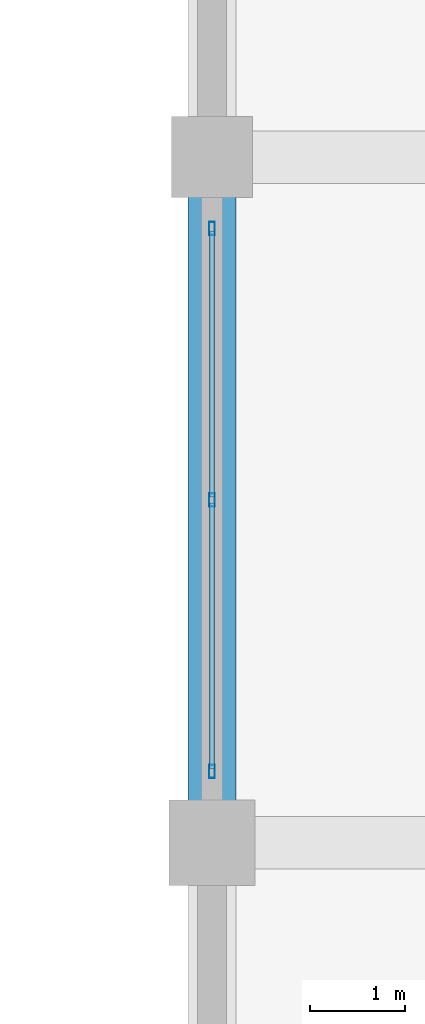
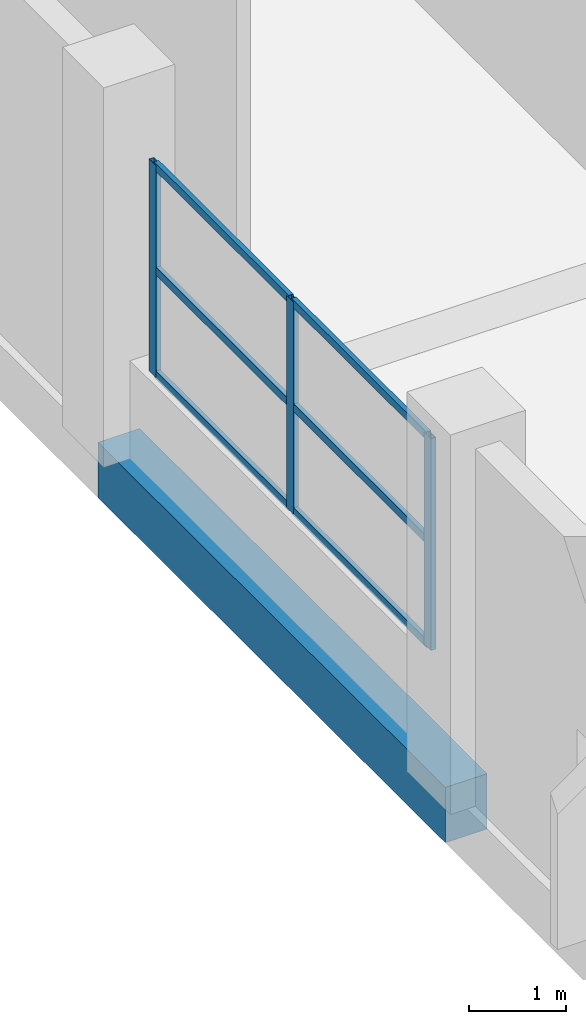
# One storey, part 49 of 181: 9 members, 1 beam, 1 element without a shape of its own.
"""IFC4 building model written with IfcOpenShell, lengths in metres."""

import ifcopenshell
import ifcopenshell.guid

model = None  # the IFC model being written
_history = None  # IfcOwnerHistory: only IFC2X3 demands one
_inside = {}  # id of a spatial element -> (the spatial element, [elements in it])
_under = {}  # id of a project, library or spatial element -> (it, [spatial elements below it])
_declared = {}  # id of a project -> (the project, [libraries it declares])
_typed = {}  # id of a type object -> (the type object, [elements of that type])
_made_of = {}  # id of a material, layer set ... -> (it, [elements and type objects made of it])


def new_model(schema):
    """Start an empty IFC model of exactly this schema.

    Asked for "IFC4X3", IfcOpenShell would pick the latest addendum, in which some entities
    have other attributes; the version numbers below select the first issue.
    IFC2X3 requires an IfcOwnerHistory on every rooted entity: one is made here for all.
    """
    global model, _history
    if schema == "IFC4X3":
        model = ifcopenshell.file(schema_version=(4, 3, 0, 0))
    else:
        model = ifcopenshell.file(schema=schema)
    _inside.clear()
    _under.clear()
    _declared.clear()
    _typed.clear()
    _made_of.clear()
    _history = None
    if model.schema == "IFC2X3":
        org = make("IfcOrganization", Name="unknown")
        user = make(
            "IfcPersonAndOrganization",
            ThePerson=make("IfcPerson", FamilyName="unknown"),
            TheOrganization=org,
        )
        app = make(
            "IfcApplication",
            ApplicationDeveloper=org,
            Version="unknown",
            ApplicationFullName="unknown",
            ApplicationIdentifier="unknown",
        )
        _history = make(
            "IfcOwnerHistory",
            OwningUser=user,
            OwningApplication=app,
            ChangeAction="ADDED",
            CreationDate=0,
        )
    return model


def make(cls, **values):
    """One entity of the class cls with the attributes given. An attribute that is None is left unset."""
    return model.create_entity(
        cls, **{name: value for name, value in values.items() if value is not None}
    )


def rooted(cls, **values):
    """An entity with a GlobalId (a new one), such as an element, a storey or a relation."""
    return make(cls, GlobalId=ifcopenshell.guid.new(), OwnerHistory=_history, **values)


def si_unit(unit_type, name, prefix=None):
    """IfcSIUnit, for example si_unit("LENGTHUNIT", "METRE", prefix="MILLI")."""
    return make("IfcSIUnit", UnitType=unit_type, Prefix=prefix, Name=name)


def assignment(units):
    """IfcUnitAssignment: the units of a project."""
    return None if units is None else make("IfcUnitAssignment", Units=units)


def point(xyz):
    """IfcCartesianPoint."""
    return None if xyz is None else make("IfcCartesianPoint", Coordinates=xyz)


def direction(xyz):
    """IfcDirection."""
    return None if xyz is None else make("IfcDirection", DirectionRatios=xyz)


def frame(location, z_axis=None, x_axis=None):
    """IfcAxis2Placement3D, a coordinate frame: its origin and axes. An axis left out is left unset."""
    return make(
        "IfcAxis2Placement3D",
        Location=point(location),
        Axis=direction(z_axis),
        RefDirection=direction(x_axis),
    )


def frame_2d(location, x_axis=None):
    """IfcAxis2Placement2D, a coordinate frame in the plane: its origin and x axis."""
    return make(
        "IfcAxis2Placement2D", Location=point(location), RefDirection=direction(x_axis)
    )


def origin():
    """The frame at (0, 0, 0) with its axes left unset."""
    return frame((0.0, 0.0, 0.0))


def origin_2d():
    """The frame at (0, 0) in the plane with its x axis left unset."""
    return frame_2d((0.0, 0.0))


def place(relative_to, where):
    """IfcLocalPlacement: puts the frame where relative to a parent placement (None: the world)."""
    return make(
        "IfcLocalPlacement", PlacementRelTo=relative_to, RelativePlacement=where
    )


def context(
    kind, dimensions, precision=None, world=None, true_north=None, identifier=None
):
    """IfcGeometricRepresentationContext, for example the 3D "Model" context."""
    return make(
        "IfcGeometricRepresentationContext",
        ContextIdentifier=identifier,
        ContextType=kind,
        CoordinateSpaceDimension=dimensions,
        Precision=precision,
        WorldCoordinateSystem=world,
        TrueNorth=true_north,
    )


def subcontext(parent, identifier, kind, view, scale=None):
    """IfcGeometricRepresentationSubContext, for example "Body" below "Model"."""
    return make(
        "IfcGeometricRepresentationSubContext",
        ContextIdentifier=identifier,
        ContextType=kind,
        ParentContext=parent,
        TargetScale=scale,
        TargetView=view,
    )


def project(units=None, contexts=None):
    """IfcProject with its units and contexts."""
    return rooted(
        "IfcProject",
        Name="project",
        RepresentationContexts=contexts,
        UnitsInContext=assignment(units),
    )


def spatial(cls, under=None, at=None, **own):
    """A site, building, storey or space (cls), placed at a placement, below another one or the project."""
    s = rooted(cls, ObjectPlacement=at, **own)
    if under is not None:
        _under.setdefault(under.id(), (under, []))[1].append(s)
    return s


def profile(cls, at=None, kind="AREA", **sizes):
    """A parametric profile (cls). Its sizes go by their IFC names, for example OverallWidth=200.0."""
    return make(cls, ProfileType=kind, Position=at, **sizes)


def rectangle(**sizes):
    """IfcRectangleProfileDef."""
    return profile("IfcRectangleProfileDef", **sizes)


def hollow_rectangle(**sizes):
    """IfcRectangleHollowProfileDef."""
    return profile("IfcRectangleHollowProfileDef", **sizes)


def extrude(swept, where, along, depth):
    """IfcExtrudedAreaSolid: the profile swept, set in the frame where, extruded along a direction by depth."""
    return make(
        "IfcExtrudedAreaSolid",
        SweptArea=swept,
        Position=where,
        ExtrudedDirection=direction(along),
        Depth=depth,
    )


def shape(context_of_items, identifier, shape_type, items):
    """IfcShapeRepresentation: the items that make up one representation, for example the "Body"."""
    return make(
        "IfcShapeRepresentation",
        ContextOfItems=context_of_items,
        RepresentationIdentifier=identifier,
        RepresentationType=shape_type,
        Items=items,
    )


def material(Name=None, Category=None):
    """IfcMaterial."""
    return make("IfcMaterial", Name=Name, Category=Category)


def layer(
    of_material, thickness, ventilated=None, Name=None, Category=None, Priority=None
):
    """IfcMaterialLayer: one layer of a wall or slab, of a material (None: an air gap)."""
    return make(
        "IfcMaterialLayer",
        Material=of_material,
        LayerThickness=thickness,
        IsVentilated=ventilated,
        Name=Name,
        Category=Category,
        Priority=Priority,
    )


def layer_set(layers, Name=None):
    """IfcMaterialLayerSet."""
    return make("IfcMaterialLayerSet", MaterialLayers=layers, LayerSetName=Name)


def material_profile(
    of_material, cross_section, Name=None, Category=None, Priority=None
):
    """IfcMaterialProfile: a cross section and its material."""
    return make(
        "IfcMaterialProfile",
        Name=Name,
        Material=of_material,
        Profile=cross_section,
        Priority=Priority,
        Category=Category,
    )


def profile_set(profiles, Name=None, composite=None):
    """IfcMaterialProfileSet."""
    return make(
        "IfcMaterialProfileSet",
        Name=Name,
        MaterialProfiles=profiles,
        CompositeProfile=composite,
    )


def made_of(thing, what):
    """Note that an element or type object is made of a material, layer set ...; save() writes the relation."""
    if what is not None:
        _made_of.setdefault(what.id(), (what, []))[1].append(thing)
    return thing


def type_object(cls, material=None, **own):
    """A type object (cls), such as IfcWallType, which elements share."""
    return made_of(rooted(cls, **own), material)


def element(
    cls,
    number,
    at=None,
    inside=None,
    cuts=None,
    type_object=None,
    material=None,
    context=None,
    identifier="Body",
    shape_type=None,
    held_by="IfcProductDefinitionShape",
    body=None,
    shapes=None,
    **own,
):
    """One element of the class cls, such as IfcWall. Its Tag is "e" and its number.

    at: its placement. inside: the storey or other place that contains it. cuts: it is an
    opening in that element (IfcRelVoidsElement). A single representation is given by context,
    identifier, shape_type and body (its items); several are given by shapes. held_by: the class
    of the entity that holds the representations. save() writes the other relations.
    """
    e = rooted(cls, Tag="e%d" % number, ObjectPlacement=at, **own)
    if body is not None:
        shapes = [shape(context, identifier, shape_type, body)]
    if shapes is not None:
        e.Representation = make(held_by, Representations=shapes)
    if inside is not None:
        _inside.setdefault(inside.id(), (inside, []))[1].append(e)
    if cuts is not None:
        rooted(
            "IfcRelVoidsElement", RelatingBuildingElement=cuts, RelatedOpeningElement=e
        )
    if type_object is not None:
        _typed.setdefault(type_object.id(), (type_object, []))[1].append(e)
    return made_of(e, material)


def aggregate(whole, parts):
    """IfcRelAggregates: a whole, such as a stair, and the parts it consists of."""
    return rooted("IfcRelAggregates", RelatingObject=whole, RelatedObjects=parts)


def save(model, path):
    """Write the relations noted so far, then the file.

    IfcRelAggregates (storeys below a building ...), IfcRelContainedInSpatialStructure (elements
    in a storey), IfcRelDefinesByType, IfcRelAssociatesMaterial and IfcRelDeclares: one each for
    every whole, place, type object, material and project.
    """
    for whole, parts in _under.values():
        aggregate(whole, parts)
    for where, things in _inside.values():
        rooted(
            "IfcRelContainedInSpatialStructure",
            RelatedElements=things,
            RelatingStructure=where,
        )
    for kind, things in _typed.values():
        rooted("IfcRelDefinesByType", RelatedObjects=things, RelatingType=kind)
    for what, things in _made_of.values():
        rooted("IfcRelAssociatesMaterial", RelatedObjects=things, RelatingMaterial=what)
    for by, libraries in _declared.values():
        rooted("IfcRelDeclares", RelatingContext=by, RelatedDefinitions=libraries)
    model.write(path)


model = new_model("IFC4")

# Units and contexts
model_context = context("Model", 3, precision=1e-05, world=origin(), true_north=direction((0.0, 1.0)))
body_context = subcontext(model_context, "Body", "Model", "MODEL_VIEW")
ifc_project = project(units=[si_unit("LENGTHUNIT", "METRE"), si_unit("AREAUNIT", "SQUARE_METRE"), si_unit("VOLUMEUNIT", "CUBIC_METRE"), si_unit("PLANEANGLEUNIT", "RADIAN"), si_unit("MASSUNIT", "GRAM", prefix="KILO")], contexts=[model_context])

# Site, building, storey
site_placement = place(None, origin())
site = spatial("IfcSite", under=ifc_project, at=site_placement, CompositionType="ELEMENT")
building_placement = place(site_placement, origin())
building = spatial("IfcBuilding", under=site, at=building_placement, Name="Seraya Terrace Polytechnic", CompositionType="ELEMENT")
storey_placement = place(building_placement, frame((0.0, 0.0, 4.800048828125)))
storey = spatial("IfcBuildingStorey", under=building, at=storey_placement, Name="L01", CompositionType="ELEMENT", Elevation=4.800048828125)

# Beam
ifc_material_1 = material(Name="Concrete C40/50", Category="concrete")
ifc_material_profile_1 = material_profile(ifc_material_1, rectangle(XDim=0.5, YDim=0.699951171875, at=origin_2d()), Name="RC 500x700")
ifc_profile_set_1 = profile_set([ifc_material_profile_1], Name="Concrete C40/50")
beam_type = type_object("IfcBeamType", Name="BM-07", PredefinedType="BEAM", material=ifc_profile_set_1)
beam_placement = place(storey_placement, frame((79.199951171875, 50.39990234375, -0.35009765625), z_axis=(0.0, 1.0, 0.0), x_axis=(-1.0, 0.0, 0.0)))
element("IfcBeam", 1, at=beam_placement, inside=storey, type_object=beam_type, Name="Beam BM-07 L01 Y (79.2, 50.4..57.6)", PredefinedType="BEAM", context=body_context, shape_type="SweptSolid", body=[
    extrude(rectangle(XDim=0.5, YDim=0.699951171875, at=origin_2d()), origin(), (0.0, 0.0, 1.0), 7.2001953125),
])

# Curtain wall, members
ifc_material_2 = material(Name="Anodised aluminium EN AW-6063 T6", Category="aluminium")
ifc_layer = layer(ifc_material_2, 0.179931640625, Name="CW-06")
ifc_layer_set = layer_set([ifc_layer], Name="Anodised aluminium EN AW-6063 T6")
curtain_wall_type = type_object("IfcCurtainWallType", Name="CW-06", PredefinedType="NOTDEFINED", material=ifc_layer_set)
curtain_wall_placement = place(storey_placement, origin())
curtain_wall = element("IfcCurtainWall", 2, at=curtain_wall_placement, inside=storey, type_object=curtain_wall_type, Name="Unitised curtain wall CW-06 (CW-L01-042)", PredefinedType="NOTDEFINED")
ifc_material_profile_2 = material_profile(ifc_material_2, hollow_rectangle(XDim=0.06005859375, YDim=0.139892578125, WallThickness=0.00341796875, at=origin_2d()), Name="RHS 140x60x3.5")
ifc_profile_set_2 = profile_set([ifc_material_profile_2], Name="Anodised aluminium EN AW-6063 T6")
member_type_1 = type_object("IfcMemberType", Name="CWM-03", PredefinedType="MULLION", material=ifc_profile_set_2)
member_1_placement = place(storey_placement, frame((79.199951171875, 51.14990234375, 1.239990234375), z_axis=(0.0, 0.0, 1.0), x_axis=(-1.0, 0.0, 0.0)))
member_1 = element("IfcMember", 3, at=member_1_placement, type_object=member_type_1, Name="CW-06 mullion 1", PredefinedType="MULLION", context=body_context, shape_type="SweptSolid", body=[
    extrude(hollow_rectangle(XDim=0.06005859375, YDim=0.139892578125, WallThickness=0.00341796875, at=origin_2d()), origin(), (0.0, 0.0, 1.0), 2.679931640625),
])
member_2_placement = place(storey_placement, frame((79.199951171875, 54.0, 1.239990234375), z_axis=(0.0, 0.0, 1.0), x_axis=(-1.0, 0.0, 0.0)))
member_2 = element("IfcMember", 4, at=member_2_placement, type_object=member_type_1, Name="CW-06 mullion 2", PredefinedType="MULLION", context=body_context, shape_type="SweptSolid", body=[
    extrude(hollow_rectangle(XDim=0.06005859375, YDim=0.139892578125, WallThickness=0.00341796875, at=origin_2d()), origin(), (0.0, 0.0, 1.0), 2.679931640625),
])
member_3_placement = place(storey_placement, frame((79.199951171875, 56.85009765625, 1.239990234375), z_axis=(0.0, 0.0, 1.0), x_axis=(-1.0, 0.0, 0.0)))
member_3 = element("IfcMember", 5, at=member_3_placement, type_object=member_type_1, Name="CW-06 mullion 3", PredefinedType="MULLION", context=body_context, shape_type="SweptSolid", body=[
    extrude(hollow_rectangle(XDim=0.06005859375, YDim=0.139892578125, WallThickness=0.00341796875, at=origin_2d()), origin(), (0.0, 0.0, 1.0), 2.679931640625),
])
ifc_material_profile_3 = material_profile(ifc_material_2, hollow_rectangle(XDim=0.054931640625, YDim=0.10009765625, WallThickness=0.0029296875, at=origin_2d()), Name="RHS 100x55x3.0")
ifc_profile_set_3 = profile_set([ifc_material_profile_3], Name="Anodised aluminium EN AW-6063 T6")
member_type_2 = type_object("IfcMemberType", Name="CWT-03", PredefinedType="USERDEFINED", material=ifc_profile_set_3)
member_4_placement = place(storey_placement, frame((79.199951171875, 51.179931640625, 1.267333984375), z_axis=(0.0, 1.0, 0.0), x_axis=(-1.0, 0.0, 0.0)))
member_4 = element("IfcMember", 6, at=member_4_placement, type_object=member_type_2, Name="CW-06 transom 1.1", ObjectType="TRANSOM", PredefinedType="USERDEFINED", context=body_context, shape_type="SweptSolid", body=[
    extrude(hollow_rectangle(XDim=0.054931640625, YDim=0.10009765625, WallThickness=0.0029296875, at=origin_2d()), origin(), (0.0, 0.0, 1.0), 2.7900390625),
])
member_5_placement = place(storey_placement, frame((79.199951171875, 51.179931640625, 2.579833984375), z_axis=(0.0, 1.0, 0.0), x_axis=(-1.0, 0.0, 0.0)))
member_5 = element("IfcMember", 7, at=member_5_placement, type_object=member_type_2, Name="CW-06 transom 1.2", ObjectType="TRANSOM", PredefinedType="USERDEFINED", context=body_context, shape_type="SweptSolid", body=[
    extrude(hollow_rectangle(XDim=0.054931640625, YDim=0.10009765625, WallThickness=0.0029296875, at=origin_2d()), origin(), (0.0, 0.0, 1.0), 2.7900390625),
])
member_6_placement = place(storey_placement, frame((79.199951171875, 51.179931640625, 3.892333984375), z_axis=(0.0, 1.0, 0.0), x_axis=(-1.0, 0.0, 0.0)))
member_6 = element("IfcMember", 8, at=member_6_placement, type_object=member_type_2, Name="CW-06 transom 1.3", ObjectType="TRANSOM", PredefinedType="USERDEFINED", context=body_context, shape_type="SweptSolid", body=[
    extrude(hollow_rectangle(XDim=0.054931640625, YDim=0.10009765625, WallThickness=0.0029296875, at=origin_2d()), origin(), (0.0, 0.0, 1.0), 2.7900390625),
])
member_7_placement = place(storey_placement, frame((79.199951171875, 54.030029296875, 1.267333984375), z_axis=(0.0, 1.0, 0.0), x_axis=(-1.0, 0.0, 0.0)))
member_7 = element("IfcMember", 9, at=member_7_placement, type_object=member_type_2, Name="CW-06 transom 2.1", ObjectType="TRANSOM", PredefinedType="USERDEFINED", context=body_context, shape_type="SweptSolid", body=[
    extrude(hollow_rectangle(XDim=0.054931640625, YDim=0.10009765625, WallThickness=0.0029296875, at=origin_2d()), origin(), (0.0, 0.0, 1.0), 2.7900390625),
])
member_8_placement = place(storey_placement, frame((79.199951171875, 54.030029296875, 2.579833984375), z_axis=(0.0, 1.0, 0.0), x_axis=(-1.0, 0.0, 0.0)))
member_8 = element("IfcMember", 10, at=member_8_placement, type_object=member_type_2, Name="CW-06 transom 2.2", ObjectType="TRANSOM", PredefinedType="USERDEFINED", context=body_context, shape_type="SweptSolid", body=[
    extrude(hollow_rectangle(XDim=0.054931640625, YDim=0.10009765625, WallThickness=0.0029296875, at=origin_2d()), origin(), (0.0, 0.0, 1.0), 2.7900390625),
])
member_9_placement = place(storey_placement, frame((79.199951171875, 54.030029296875, 3.892333984375), z_axis=(0.0, 1.0, 0.0), x_axis=(-1.0, 0.0, 0.0)))
member_9 = element("IfcMember", 11, at=member_9_placement, type_object=member_type_2, Name="CW-06 transom 2.3", ObjectType="TRANSOM", PredefinedType="USERDEFINED", context=body_context, shape_type="SweptSolid", body=[
    extrude(hollow_rectangle(XDim=0.054931640625, YDim=0.10009765625, WallThickness=0.0029296875, at=origin_2d()), origin(), (0.0, 0.0, 1.0), 2.7900390625),
])
aggregate(curtain_wall, [member_1, member_2, member_3, member_4, member_5, member_6, member_7, member_8, member_9])

save(model, "model.ifc")
